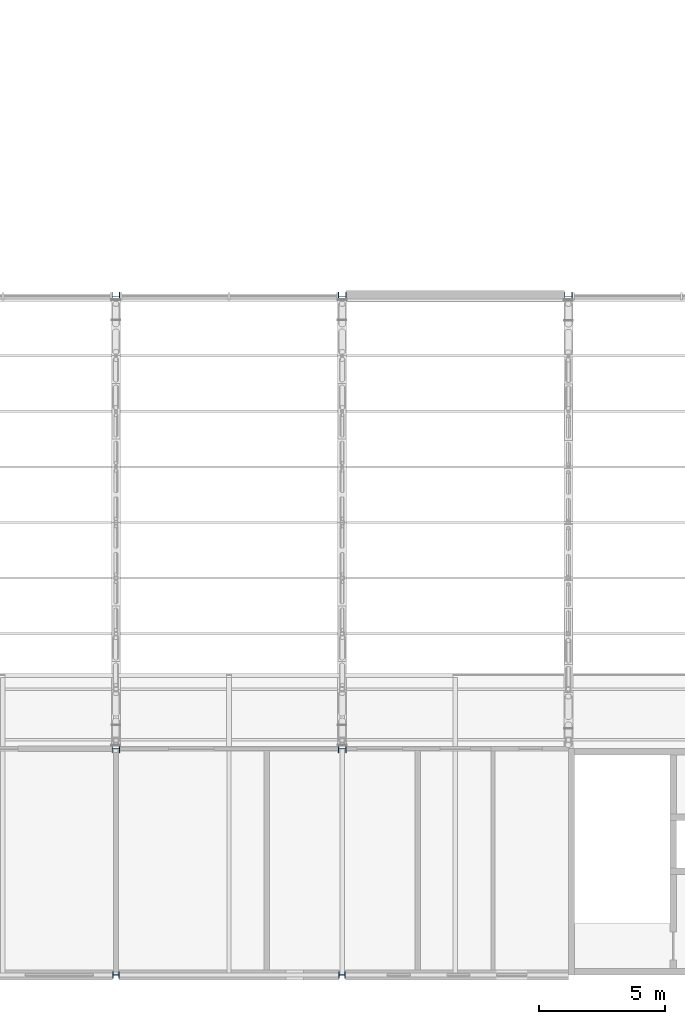
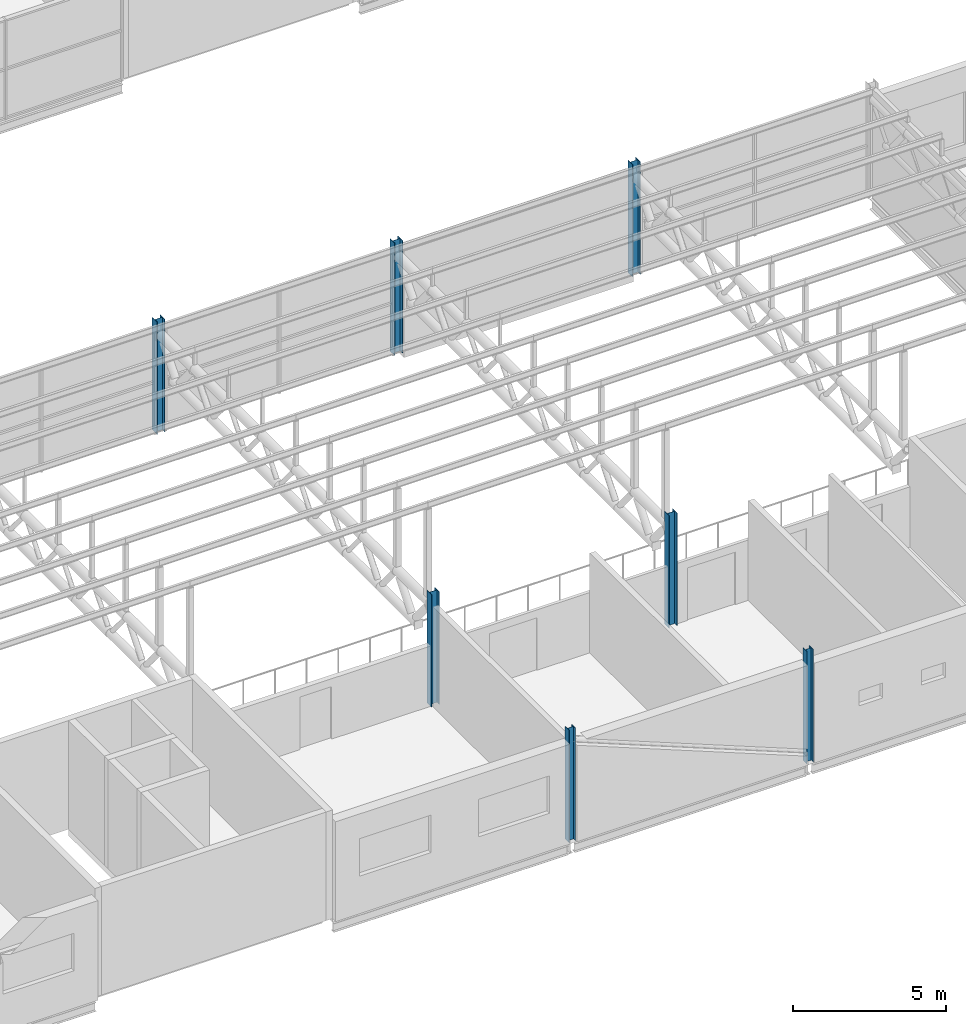
# One storey, part 20 of 138: 7 columns.
"""IFC4 building model written with IfcOpenShell, lengths in metres."""

from ifc_helpers import new_model, si_unit, direction, frame, origin, origin_2d, place, context, subcontext, project, spatial, i_section, extrude, material, material_profile, profile_set, type_object, element, save


model = new_model("IFC4")

# Units and contexts
model_context = context("Model", 3, precision=1e-05, world=origin(), true_north=direction((0.0, 1.0)))
body_context = subcontext(model_context, "Body", "Model", "MODEL_VIEW")
ifc_project = project(units=[si_unit("LENGTHUNIT", "METRE"), si_unit("AREAUNIT", "SQUARE_METRE"), si_unit("VOLUMEUNIT", "CUBIC_METRE"), si_unit("PLANEANGLEUNIT", "RADIAN"), si_unit("MASSUNIT", "GRAM", prefix="KILO")], contexts=[model_context])

# Site, building, storey
site_placement = place(None, origin())
site = spatial("IfcSite", under=ifc_project, at=site_placement, CompositionType="ELEMENT")
building_placement = place(site_placement, origin())
building = spatial("IfcBuilding", under=site, at=building_placement, Name="Corbel Yard City Hall", CompositionType="ELEMENT")
storey_placement = place(building_placement, frame((0.0, 0.0, 10.5)))
storey = spatial("IfcBuildingStorey", under=building, at=storey_placement, Name="L02", CompositionType="ELEMENT", Elevation=10.5)

# Columns
ifc_material = material(Name="Steel Grade 300 (300 MPa yield)", Category="steel")
ifc_material_profile_1 = material_profile(ifc_material, i_section(OverallWidth=0.25390625, OverallDepth=0.25390625, WebThickness=0.008544921875, FlangeThickness=0.01416015625, at=origin_2d()), Name="250UC72.9")
ifc_profile_set_1 = profile_set([ifc_material_profile_1], Name="Steel Grade 300 (300 MPa yield)")
column_type_1 = type_object("IfcColumnType", Name="Column 250UC72.9", PredefinedType="COLUMN", material=ifc_profile_set_1)
for number, where, z_axis, x_axis, name in (
    (1, (135.0, 0.0, 0.0), (0.0, 0.0, 1.0), (0.0, 1.0, 0.0), "Column 250UC72.9 A/16 L02"),
    (2, (144.0, 0.0, 0.0), (0.0, 0.0, 1.0), (0.0, 1.0, 0.0), "Column 250UC72.9 A/17 L02"),
):
    element("IfcColumn", number, at=place(storey_placement, frame(where, z_axis=z_axis, x_axis=x_axis)), inside=storey, type_object=column_type_1, Name=name, PredefinedType="COLUMN", context=body_context, shape_type="SweptSolid", body=[
        extrude(i_section(OverallWidth=0.25390625, OverallDepth=0.25390625, WebThickness=0.008544921875, FlangeThickness=0.01416015625, at=origin_2d()), origin(), (0.0, 0.0, 1.0), 4.5),
    ])
ifc_material_profile_2 = material_profile(ifc_material, i_section(OverallWidth=0.304931640625, OverallDepth=0.30810546875, WebThickness=0.010009765625, FlangeThickness=0.015380859375, at=origin_2d()), Name="310UC96.8")
ifc_profile_set_2 = profile_set([ifc_material_profile_2], Name="Steel Grade 300 (300 MPa yield)")
column_type_2 = type_object("IfcColumnType", Name="Column 310UC96.8", PredefinedType="COLUMN", material=ifc_profile_set_2)
for number, where, z_axis, x_axis, name in (
    (3, (135.0, 9.0, 0.0), (0.0, 0.0, 1.0), (0.0, 1.0, 0.0), "Column 310UC96.8 B/16 L02"),
    (4, (135.0, 27.0, 0.0), (0.0, 0.0, 1.0), (0.0, 1.0, 0.0), "Column 310UC96.8 D/16 L02"),
    (5, (144.0, 9.0, 0.0), (0.0, 0.0, 1.0), (0.0, 1.0, 0.0), "Column 310UC96.8 B/17 L02"),
    (6, (144.0, 27.0, 0.0), (0.0, 0.0, 1.0), (0.0, 1.0, 0.0), "Column 310UC96.8 D/17 L02"),
    (7, (153.0, 27.0, 0.0), (0.0, 0.0, 1.0), (0.0, 1.0, 0.0), "Column 310UC96.8 D/18 L02"),
):
    element("IfcColumn", number, at=place(storey_placement, frame(where, z_axis=z_axis, x_axis=x_axis)), inside=storey, type_object=column_type_2, Name=name, PredefinedType="COLUMN", context=body_context, shape_type="SweptSolid", body=[
        extrude(i_section(OverallWidth=0.304931640625, OverallDepth=0.30810546875, WebThickness=0.010009765625, FlangeThickness=0.015380859375, at=origin_2d()), origin(), (0.0, 0.0, 1.0), 4.5),
    ])

save(model, "model.ifc")
